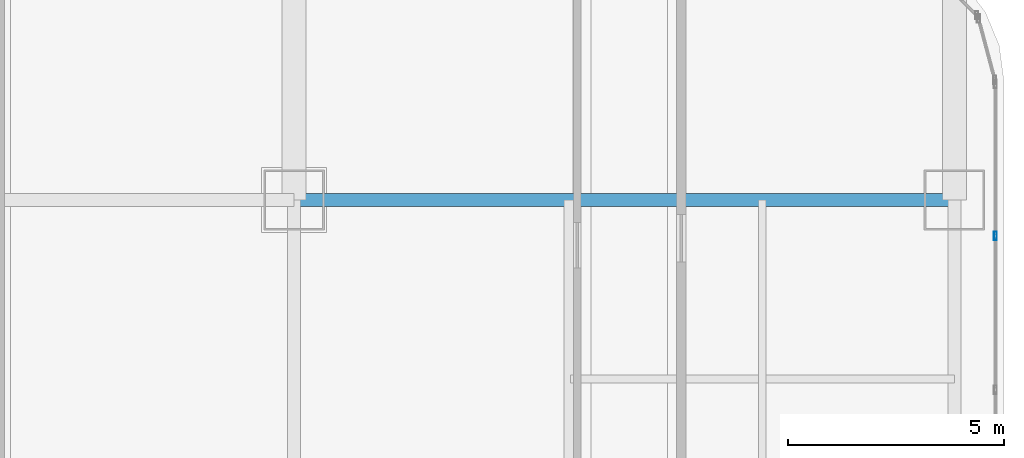
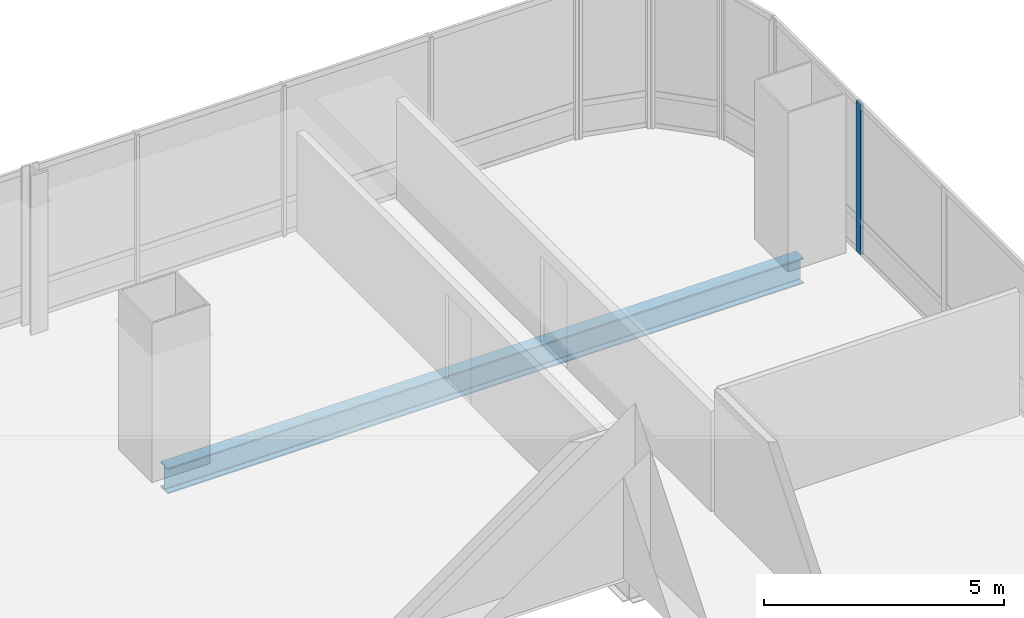
# One storey, part 26 of 38: 1 beam, 1 member, 1 element without a shape of its own.
"""IFC4 building model written with IfcOpenShell, lengths in metres."""

from ifc_helpers import new_model, si_unit, direction, frame, origin, origin_2d, place, context, subcontext, project, spatial, hollow_rectangle, i_section, extrude, material, material_profile, profile_set, type_object, element, aggregate, save


model = new_model("IFC4")

# Units and contexts
model_context = context("Model", 3, precision=1e-05, world=origin(), true_north=direction((0.0, 1.0)))
body_context = subcontext(model_context, "Body", "Model", "MODEL_VIEW")
ifc_project = project(units=[si_unit("LENGTHUNIT", "METRE"), si_unit("AREAUNIT", "SQUARE_METRE"), si_unit("VOLUMEUNIT", "CUBIC_METRE"), si_unit("PLANEANGLEUNIT", "RADIAN"), si_unit("MASSUNIT", "GRAM", prefix="KILO")], contexts=[model_context])

# Site, building, storey
site_placement = place(None, origin())
site = spatial("IfcSite", under=ifc_project, at=site_placement, CompositionType="ELEMENT")
building_placement = place(site_placement, origin())
building = spatial("IfcBuilding", under=site, at=building_placement, Name="Punatoya Terracotta Tower", CompositionType="ELEMENT")
storey_placement = place(building_placement, frame((0.0, 0.0, 147.89990234375)))
storey = spatial("IfcBuildingStorey", under=building, at=storey_placement, Name="L34", CompositionType="ELEMENT", Elevation=147.89990234375)

# Beam
ifc_material_1 = material(Name="Steel S355", Category="steel")
ifc_material_profile_1 = material_profile(ifc_material_1, i_section(OverallWidth=0.300048828125, OverallDepth=0.64990234375, WebThickness=0.01611328125, FlangeThickness=0.031005859375, FilletRadius=0.01806640625, at=origin_2d()))
ifc_profile_set_1 = profile_set([ifc_material_profile_1], Name="Steel S355")
beam_type = type_object("IfcBeamType", Name="BM-PRI-650", PredefinedType="BEAM", material=ifc_profile_set_1)
beam_placement = place(storey_placement, frame((3.800048828125, 17.5, -0.544921875), z_axis=(1.0, 0.0, 0.0), x_axis=(0.0, 1.0, 0.0)))
element("IfcBeam", 1, at=beam_placement, inside=storey, type_object=beam_type, Name="BM-L34-RG-N3", PredefinedType="BEAM", context=body_context, shape_type="SweptSolid", body=[
    extrude(i_section(OverallWidth=0.300048828125, OverallDepth=0.64990234375, WebThickness=0.01611328125, FlangeThickness=0.031005859375, FilletRadius=0.01806640625, at=origin_2d()), origin(), (0.0, 0.0, 1.0), 15.300048828125),
])

# Curtain wall, member
ifc_material_2 = material(Name="Aluminium 6063-T6 + Double Low-E Glass", Category="aluminium")
curtain_wall_type = type_object("IfcCurtainWallType", Name="CW-M2", PredefinedType="NOTDEFINED", material=ifc_material_2)
curtain_wall_placement = place(storey_placement, origin())
curtain_wall = element("IfcCurtainWall", 2, at=curtain_wall_placement, inside=storey, type_object=curtain_wall_type, Name="L34 Curtain Wall CW-L34-E05-1", PredefinedType="NOTDEFINED")
ifc_material_3 = material(Name="Aluminium 6063-T6", Category="aluminium")
ifc_material_profile_2 = material_profile(ifc_material_3, hollow_rectangle(XDim=0.072021484375, YDim=0.195068359375, WallThickness=0.00439453125, at=origin_2d()))
ifc_profile_set_2 = profile_set([ifc_material_profile_2], Name="Aluminium 6063-T6")
member_type = type_object("IfcMemberType", Name="CW-MUL-M2", PredefinedType="MULLION", material=ifc_profile_set_2)
member_placement = place(storey_placement, frame((20.050048828125, 16.66943359375, 0.0), z_axis=(0.0, 0.0, 1.0), x_axis=(1.0, 0.0, 0.0)))
member = element("IfcMember", 3, at=member_placement, type_object=member_type, Name="CW-L34-E05-1 Mullion 09", PredefinedType="MULLION", context=body_context, shape_type="SweptSolid", body=[
    extrude(hollow_rectangle(XDim=0.072021484375, YDim=0.195068359375, WallThickness=0.00439453125, at=origin_2d()), origin(), (0.0, 0.0, 1.0), 3.830078125),
])
aggregate(curtain_wall, [member])

save(model, "model.ifc")
